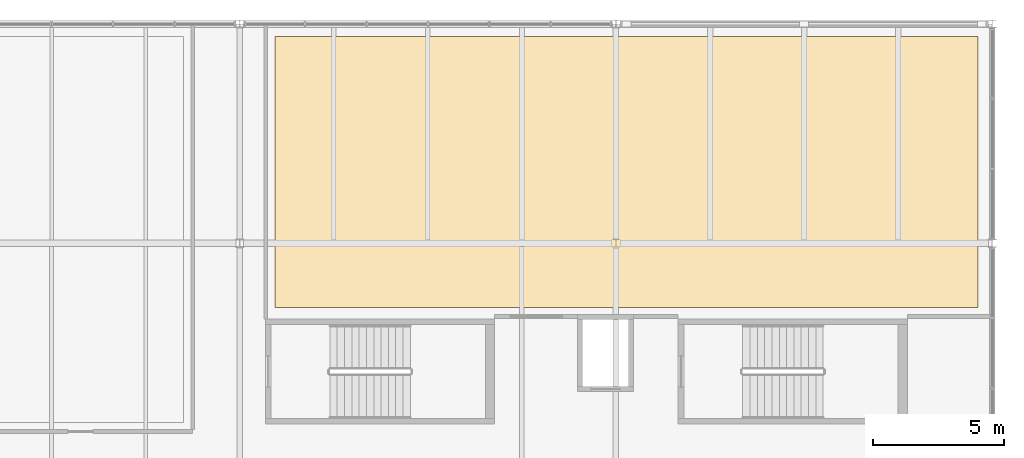
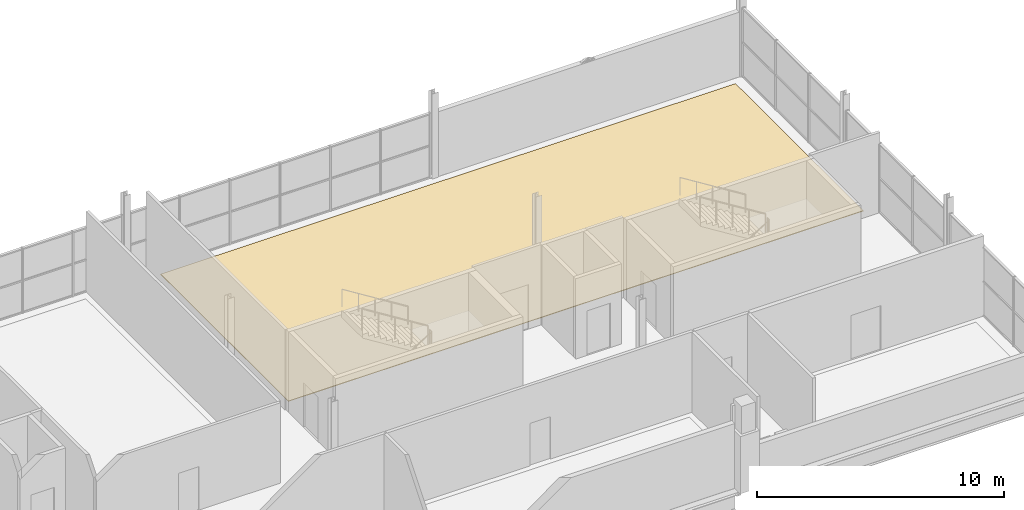
# One storey, part 67 of 68: 1 covering.
"""IFC4 building model written with IfcOpenShell, lengths in metres."""

from ifc_helpers import new_model, si_unit, direction, frame, origin, place, context, subcontext, project, spatial, polyline, outline, extrude, material, layer, layer_set, type_object, element, save


model = new_model("IFC4")

# Units and contexts
model_context = context("Model", 3, precision=1e-05, world=origin(), true_north=direction((0.0, 1.0)))
body_context = subcontext(model_context, "Body", "Model", "MODEL_VIEW")
ifc_project = project(units=[si_unit("LENGTHUNIT", "METRE"), si_unit("AREAUNIT", "SQUARE_METRE"), si_unit("VOLUMEUNIT", "CUBIC_METRE"), si_unit("PLANEANGLEUNIT", "RADIAN"), si_unit("MASSUNIT", "GRAM", prefix="KILO"), si_unit("THERMODYNAMICTEMPERATUREUNIT", "KELVIN")], contexts=[model_context])

# Site, building, storey
site_placement = place(None, origin())
site = spatial("IfcSite", under=ifc_project, at=site_placement, CompositionType="ELEMENT")
building_placement = place(site_placement, origin())
building = spatial("IfcBuilding", under=site, at=building_placement, Name="Nduvali Passage Aquatics Centre", CompositionType="ELEMENT")
storey_placement = place(building_placement, frame((0.0, 0.0, 13.199951171875)))
storey = spatial("IfcBuildingStorey", under=building, at=storey_placement, Name="L03", CompositionType="ELEMENT", Elevation=13.199951171875)

# Covering
ifc_material = material(Name="Polished coral-aggregate terrazzo")
ifc_layer = layer(ifc_material, 0.030029296875, Name="Polished coral-aggregate terrazzo")
ifc_layer_set = layer_set([ifc_layer], Name="Polished coral-aggregate terrazzo")
covering_type = type_object("IfcCoveringType", Name="INT-COV-TERRAZZO", PredefinedType="FLOORING", material=ifc_layer_set)
covering_placement = place(storey_placement, origin())
element("IfcCovering", 1, at=covering_placement, inside=storey, type_object=covering_type, Name="L03 Youth Aquatic Academy Lecture Room Floor Finish", PredefinedType="FLOORING", context=body_context, shape_type="SweptSolid", body=[
    extrude(outline(polyline([(98.550048828125, 106.75), (125.449951171875, 106.75), (125.449951171875, 117.110107421875), (98.550048828125, 117.110107421875), (98.550048828125, 106.75)])), origin(), (0.0, 0.0, 1.0), 0.030029296875),
])

save(model, "model.ifc")
